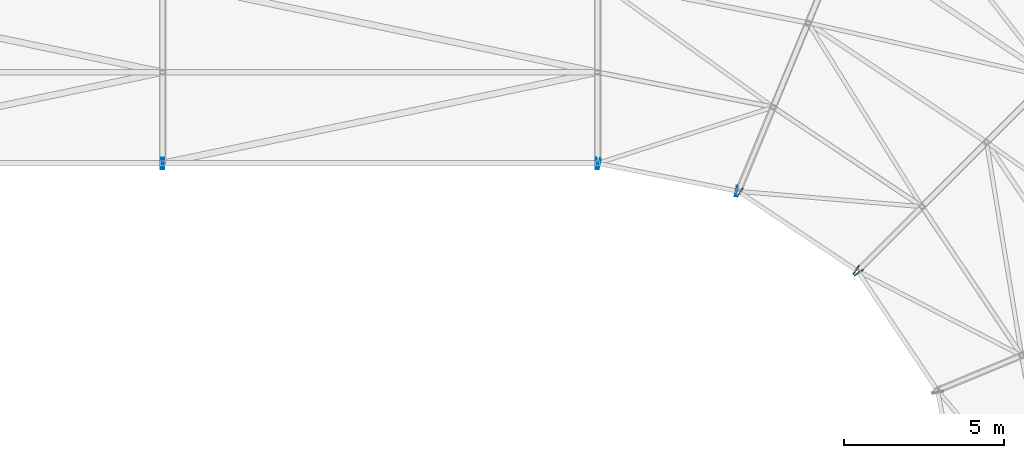
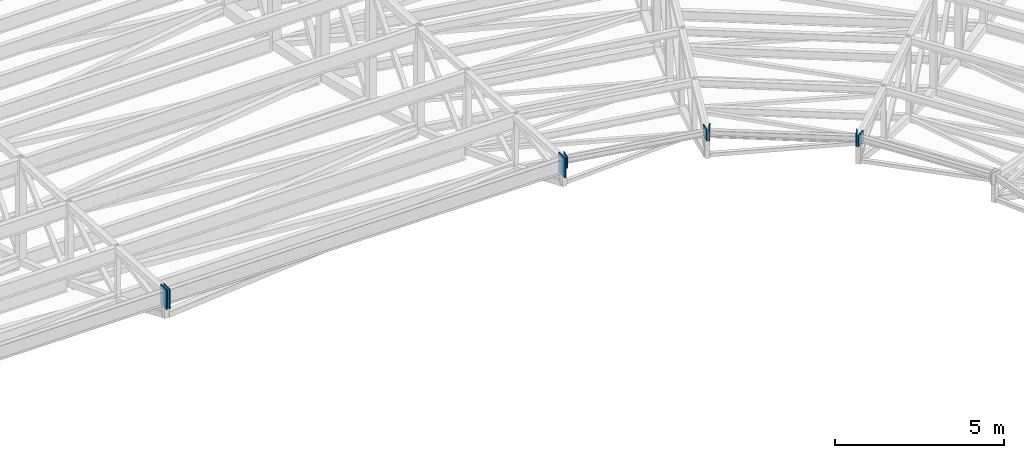
# One storey, part 223 of 278: 8 discrete accessories.
"""IFC4 building model written with IfcOpenShell, lengths in metres."""

from ifc_helpers import new_model, si_unit, direction, frame, origin, origin_2d, place, context, subcontext, project, spatial, rectangle, extrude, material, layer, layer_set, type_object, element, save


model = new_model("IFC4")

# Units and contexts
model_context = context("Model", 3, precision=1e-05, world=origin(), true_north=direction((0.0, 1.0)))
body_context = subcontext(model_context, "Body", "Model", "MODEL_VIEW")
ifc_project = project(units=[si_unit("LENGTHUNIT", "METRE"), si_unit("AREAUNIT", "SQUARE_METRE"), si_unit("VOLUMEUNIT", "CUBIC_METRE"), si_unit("PLANEANGLEUNIT", "RADIAN"), si_unit("MASSUNIT", "GRAM", prefix="KILO")], contexts=[model_context])

# Site, building, storey
site_placement = place(None, origin())
site = spatial("IfcSite", under=ifc_project, at=site_placement, CompositionType="ELEMENT")
building_placement = place(site_placement, origin())
building = spatial("IfcBuilding", under=site, at=building_placement, Name="Ogive Plaza Stadium", CompositionType="ELEMENT")
storey_placement = place(building_placement, frame((0.0, 0.0, 29.0)))
storey = spatial("IfcBuildingStorey", under=building, at=storey_placement, Name="Roof", CompositionType="ELEMENT", Elevation=29.0)

# Discrete accessories
ifc_material = material(Name="Steel ASTM A992 Grade 50", Category="steel")
ifc_layer = layer(ifc_material, 0.030029296875)
ifc_layer_set = layer_set([ifc_layer], Name="Steel ASTM A992 Grade 50")
discrete_accessory_type = type_object("IfcDiscreteAccessoryType", Name="Ring beam end plate 30", PredefinedType="ANCHORPLATE", material=ifc_layer_set)
for number, where, z_axis, x_axis, name in (
    (1, (20.353759765625, 64.0, 6.80029296875), (0.0, 0.0, 1.0), (1.0, 0.0, 0.0), "RING BEAM END PLATE B35 2"),
    (2, (20.4462890625, 64.0, 6.80029296875), (0.0, 0.0, 1.0), (1.0, 0.0, 0.0), "RING BEAM END PLATE B36 1"),
    (3, (33.953857421875, 64.0, 6.80029296875), (0.0, 0.0, 1.0), (1.0, 0.0, 0.0), "RING BEAM END PLATE B36 2"),
):
    element("IfcDiscreteAccessory", number, at=place(storey_placement, frame(where, z_axis=z_axis, x_axis=x_axis)), inside=storey, type_object=discrete_accessory_type, Name=name, PredefinedType="ANCHORPLATE", context=body_context, shape_type="SweptSolid", body=[
        extrude(rectangle(XDim=0.030029296875, YDim=0.364990234375, at=origin_2d()), origin(), (0.0, 0.0, 1.0), 0.724853515625),
    ])
for number, where, z_axis, x_axis, name in (
    (4, (34.059814453125, 63.988037109375, 7.1181640625), (0.0, 0.0, 1.0), (0.980785280434, -0.195090321862, 0.0), "RING BEAM END PLATE B37 1"),
    (5, (38.341064453125, 63.136474609375, 7.1181640625), (0.0, 0.0, 1.0), (0.980785280434, -0.195090321862, 0.0), "RING BEAM END PLATE B37 2"),
    (6, (38.451416015625, 63.0908203125, 7.1181640625), (0.0, 0.0, 1.0), (0.831469612332, -0.555570232976, 0.0), "RING BEAM END PLATE B38 1"),
    (7, (42.0810546875, 60.66552734375, 7.1181640625), (0.0, 0.0, 1.0), (0.831469612332, -0.555570232976, 0.0), "RING BEAM END PLATE B38 2"),
    (8, (42.16552734375, 60.5810546875, 7.1181640625), (0.0, 0.0, 1.0), (0.555570232976, -0.831469612332, 0.0), "RING BEAM END PLATE B39 1"),
):
    element("IfcDiscreteAccessory", number, at=place(storey_placement, frame(where, z_axis=z_axis, x_axis=x_axis)), inside=storey, type_object=discrete_accessory_type, Name=name, PredefinedType="ANCHORPLATE", context=body_context, shape_type="SweptSolid", body=[
        extrude(rectangle(XDim=0.030029296875, YDim=0.33349609375, at=origin_2d()), origin(), (0.0, 0.0, 1.0), 0.40673828125),
    ])

save(model, "model.ifc")
